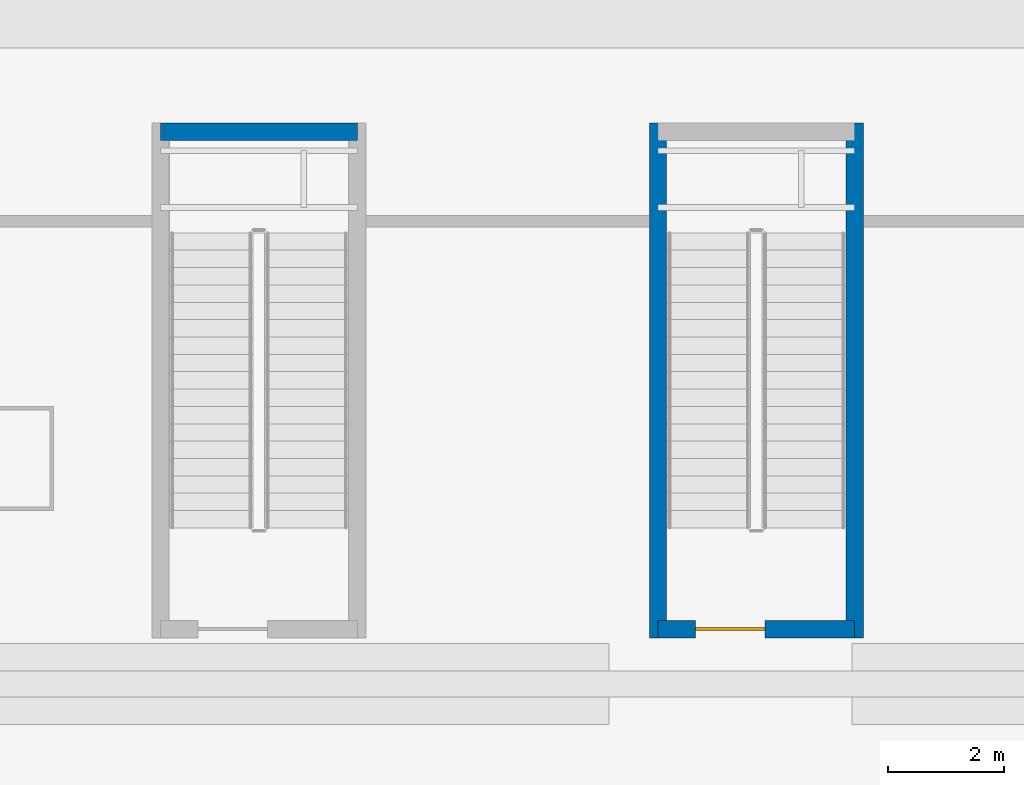
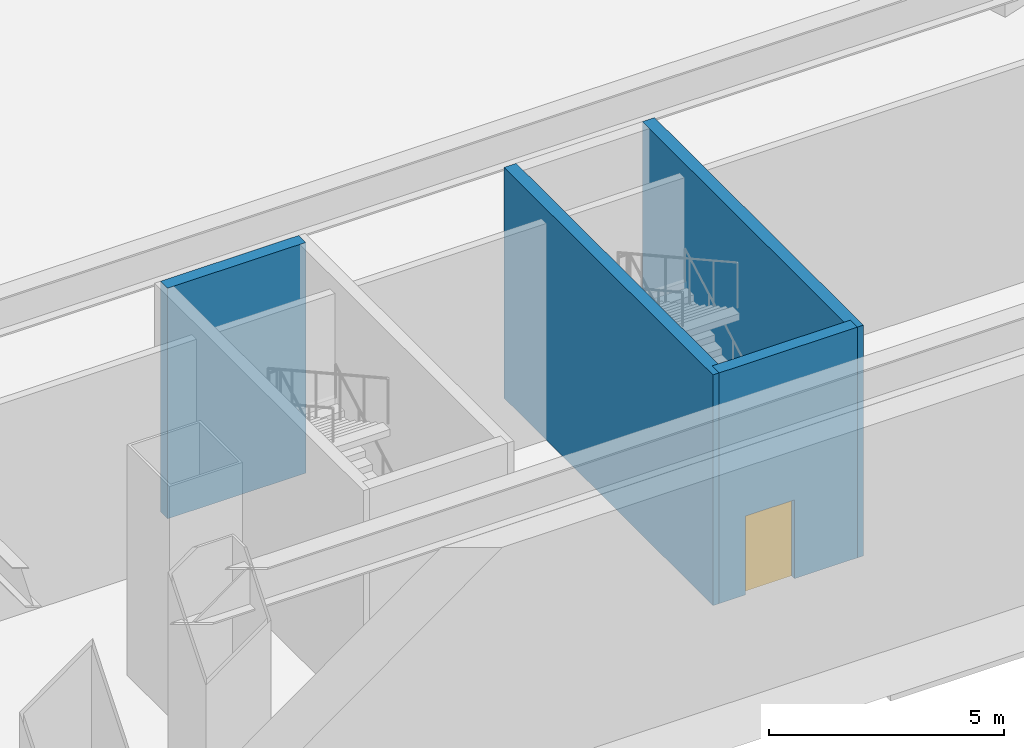
# One storey, part 8 of 20: 4 walls, 1 door, 1 opening.
"""IFC4 building model written with IfcOpenShell, lengths in metres."""

from ifc_helpers import new_model, si_unit, direction, frame, frame_2d, origin, place, context, subcontext, project, spatial, rectangle, extrude, material, layer, layer_set, type_object, element, fill, save


model = new_model("IFC4")

# Units and contexts
model_context = context("Model", 3, precision=1e-05, world=origin(), true_north=direction((0.0, 1.0)))
body_context = subcontext(model_context, "Body", "Model", "MODEL_VIEW")
ifc_project = project(units=[si_unit("LENGTHUNIT", "METRE"), si_unit("AREAUNIT", "SQUARE_METRE"), si_unit("VOLUMEUNIT", "CUBIC_METRE"), si_unit("PLANEANGLEUNIT", "RADIAN"), si_unit("MASSUNIT", "GRAM", prefix="KILO")], contexts=[model_context])

# Site, building, storey
site_placement = place(None, origin())
site = spatial("IfcSite", under=ifc_project, at=site_placement, CompositionType="ELEMENT")
building_placement = place(site_placement, origin())
building = spatial("IfcBuilding", under=site, at=building_placement, Name="Qiaolan Cultural Towers", CompositionType="ELEMENT")
storey_placement = place(building_placement, frame((0.0, 0.0, -12.0)))
storey = spatial("IfcBuildingStorey", under=building, at=storey_placement, Name="B2", CompositionType="ELEMENT", Elevation=-12.0)

# Walls
ifc_material_1 = material(Name="Concrete C50", Category="concrete")
ifc_layer = layer(ifc_material_1, 0.35009765625)
ifc_layer_set = layer_set([ifc_layer], Name="Concrete C50")
wall_type = type_object("IfcWallType", Name="WL-CORE-350", PredefinedType="SHEAR", material=ifc_layer_set)
wall_1_placement = place(storey_placement, frame((50.14990234375, 12.050048828125, 0.0), z_axis=(0.0, 0.0, 1.0), x_axis=(1.0, 0.0, 0.0)))
element("IfcWall", 1, at=wall_1_placement, inside=storey, type_object=wall_type, Name="B2 STM1 Stair Shaft Wall N", PredefinedType="SHEAR", context=body_context, shape_type="SweptSolid", body=[
    extrude(rectangle(XDim=3.400146484375, YDim=0.300048828125, at=frame_2d((1.7001953125, 0.0))), origin(), (0.0, 0.0, 1.0), 6.0),
])
for number, where, z_axis, x_axis, name in (
    (2, (58.75, 3.300048828125, 0.0), (0.0, 0.0, 1.0), (0.0, 1.0, 0.0), "B2 STM2 Stair Shaft Wall W"),
    (3, (62.14990234375, 3.300048828125, 0.0), (0.0, 0.0, 1.0), (0.0, 1.0, 0.0), "B2 STM2 Stair Shaft Wall E"),
):
    element("IfcWall", number, at=place(storey_placement, frame(where, z_axis=z_axis, x_axis=x_axis)), inside=storey, type_object=wall_type, Name=name, PredefinedType="SHEAR", context=body_context, shape_type="SweptSolid", body=[
        extrude(rectangle(XDim=8.89990234375, YDim=0.300048828125, at=frame_2d((4.449951171875, 0.0))), origin(), (0.0, 0.0, 1.0), 6.0),
    ])

# Wall, opening, door
wall_2_placement = place(storey_placement, frame((58.75, 3.449951171875, 0.0), z_axis=(0.0, 0.0, 1.0), x_axis=(1.0, 0.0, 0.0)))
wall_2 = element("IfcWall", 4, at=wall_2_placement, inside=storey, type_object=wall_type, Name="B2 STM2 Stair Shaft Wall S", PredefinedType="SHEAR", context=body_context, shape_type="SweptSolid", body=[
    extrude(rectangle(XDim=3.39990234375, YDim=0.300048828125, at=frame_2d((1.699951171875, 0.0))), origin(), (0.0, 0.0, 1.0), 6.0),
])
opening_placement = place(wall_2_placement, frame((0.64990234375, 0.0, 0.0)))
opening = element("IfcOpeningElement", 5, at=opening_placement, cuts=wall_2, Name="Opening FD-03", PredefinedType="OPENING", context=body_context, shape_type="SweptSolid", body=[
    extrude(rectangle(XDim=1.199951171875, YDim=2.050048828125, at=frame_2d((0.60009765625, 1.02490234375))), frame((0.0, 0.159912109375, 0.0), z_axis=(0.0, -1.0, 0.0), x_axis=(1.0, 0.0, 0.0)), (0.0, 0.0, 1.0), 0.320068359375),
])
ifc_material_2 = material(Name="Galvanized Steel Smokeproof Lobby Fire Door", Category="steel")
door_type = type_object("IfcDoorType", Name="DR-FD90-1200", OperationType="NOTDEFINED", PredefinedType="DOOR", material=ifc_material_2)
door_placement = place(opening_placement, origin())
door = element("IfcDoor", 6, at=door_placement, inside=storey, type_object=door_type, Name="B2 Exit Stair ST-M2 Fire Door", OperationType="SINGLE_SWING_LEFT", OverallHeight=2.050048828125, OverallWidth=1.199951171875, PredefinedType="DOOR", context=body_context, shape_type="SweptSolid", body=[
    extrude(rectangle(XDim=1.199951171875, YDim=2.050048828125, at=frame_2d((0.60009765625, 1.02490234375))), frame((0.0, 0.02490234375, 0.0), z_axis=(0.0, -1.0, 0.0), x_axis=(1.0, 0.0, 0.0)), (0.0, 0.0, 1.0), 0.050048828125),
])
fill(opening, door)

save(model, "model.ifc")
